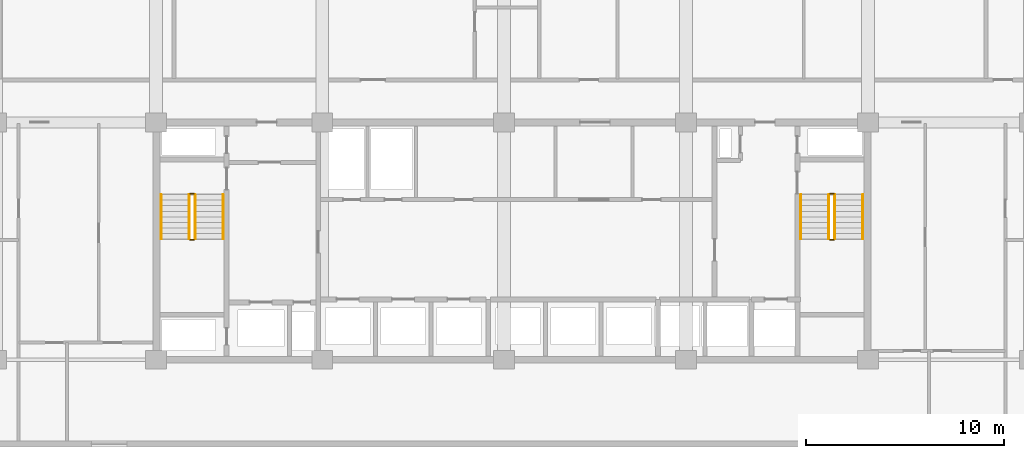
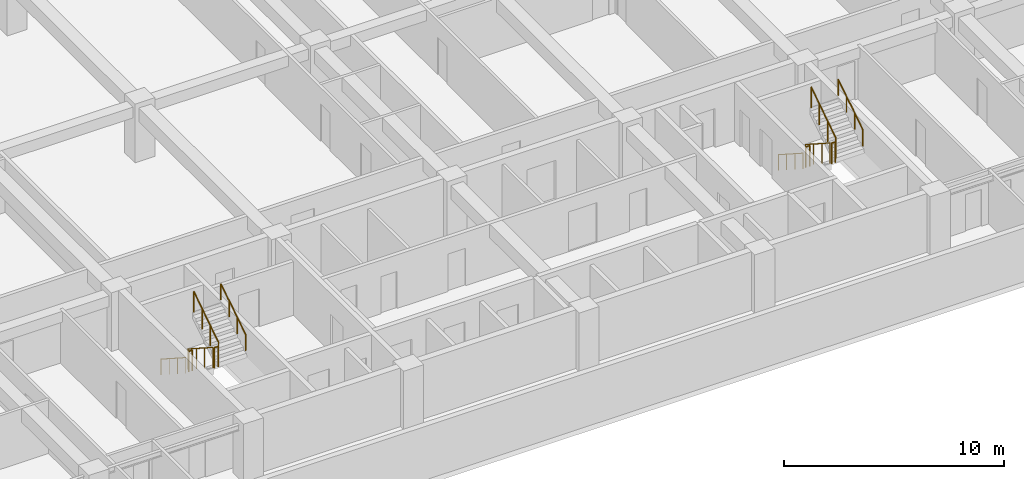
# One storey, part 22 of 23: 12 railings.
"""IFC4 building model written with IfcOpenShell, lengths in metres."""

import ifcopenshell
import ifcopenshell.guid

model = None  # the IFC model being written
_history = None  # IfcOwnerHistory: only IFC2X3 demands one
_inside = {}  # id of a spatial element -> (the spatial element, [elements in it])
_under = {}  # id of a project, library or spatial element -> (it, [spatial elements below it])
_declared = {}  # id of a project -> (the project, [libraries it declares])
_typed = {}  # id of a type object -> (the type object, [elements of that type])
_made_of = {}  # id of a material, layer set ... -> (it, [elements and type objects made of it])


def new_model(schema):
    """Start an empty IFC model of exactly this schema.

    Asked for "IFC4X3", IfcOpenShell would pick the latest addendum, in which some entities
    have other attributes; the version numbers below select the first issue.
    IFC2X3 requires an IfcOwnerHistory on every rooted entity: one is made here for all.
    """
    global model, _history
    if schema == "IFC4X3":
        model = ifcopenshell.file(schema_version=(4, 3, 0, 0))
    else:
        model = ifcopenshell.file(schema=schema)
    _inside.clear()
    _under.clear()
    _declared.clear()
    _typed.clear()
    _made_of.clear()
    _history = None
    if model.schema == "IFC2X3":
        org = make("IfcOrganization", Name="unknown")
        user = make(
            "IfcPersonAndOrganization",
            ThePerson=make("IfcPerson", FamilyName="unknown"),
            TheOrganization=org,
        )
        app = make(
            "IfcApplication",
            ApplicationDeveloper=org,
            Version="unknown",
            ApplicationFullName="unknown",
            ApplicationIdentifier="unknown",
        )
        _history = make(
            "IfcOwnerHistory",
            OwningUser=user,
            OwningApplication=app,
            ChangeAction="ADDED",
            CreationDate=0,
        )
    return model


def make(cls, **values):
    """One entity of the class cls with the attributes given. An attribute that is None is left unset."""
    return model.create_entity(
        cls, **{name: value for name, value in values.items() if value is not None}
    )


def rooted(cls, **values):
    """An entity with a GlobalId (a new one), such as an element, a storey or a relation."""
    return make(cls, GlobalId=ifcopenshell.guid.new(), OwnerHistory=_history, **values)


def si_unit(unit_type, name, prefix=None):
    """IfcSIUnit, for example si_unit("LENGTHUNIT", "METRE", prefix="MILLI")."""
    return make("IfcSIUnit", UnitType=unit_type, Prefix=prefix, Name=name)


def assignment(units):
    """IfcUnitAssignment: the units of a project."""
    return None if units is None else make("IfcUnitAssignment", Units=units)


def point(xyz):
    """IfcCartesianPoint."""
    return None if xyz is None else make("IfcCartesianPoint", Coordinates=xyz)


def direction(xyz):
    """IfcDirection."""
    return None if xyz is None else make("IfcDirection", DirectionRatios=xyz)


def frame(location, z_axis=None, x_axis=None):
    """IfcAxis2Placement3D, a coordinate frame: its origin and axes. An axis left out is left unset."""
    return make(
        "IfcAxis2Placement3D",
        Location=point(location),
        Axis=direction(z_axis),
        RefDirection=direction(x_axis),
    )


def frame_2d(location, x_axis=None):
    """IfcAxis2Placement2D, a coordinate frame in the plane: its origin and x axis."""
    return make(
        "IfcAxis2Placement2D", Location=point(location), RefDirection=direction(x_axis)
    )


def origin():
    """The frame at (0, 0, 0) with its axes left unset."""
    return frame((0.0, 0.0, 0.0))


def origin_2d():
    """The frame at (0, 0) in the plane with its x axis left unset."""
    return frame_2d((0.0, 0.0))


def place(relative_to, where):
    """IfcLocalPlacement: puts the frame where relative to a parent placement (None: the world)."""
    return make(
        "IfcLocalPlacement", PlacementRelTo=relative_to, RelativePlacement=where
    )


def context(
    kind, dimensions, precision=None, world=None, true_north=None, identifier=None
):
    """IfcGeometricRepresentationContext, for example the 3D "Model" context."""
    return make(
        "IfcGeometricRepresentationContext",
        ContextIdentifier=identifier,
        ContextType=kind,
        CoordinateSpaceDimension=dimensions,
        Precision=precision,
        WorldCoordinateSystem=world,
        TrueNorth=true_north,
    )


def subcontext(parent, identifier, kind, view, scale=None):
    """IfcGeometricRepresentationSubContext, for example "Body" below "Model"."""
    return make(
        "IfcGeometricRepresentationSubContext",
        ContextIdentifier=identifier,
        ContextType=kind,
        ParentContext=parent,
        TargetScale=scale,
        TargetView=view,
    )


def project(units=None, contexts=None):
    """IfcProject with its units and contexts."""
    return rooted(
        "IfcProject",
        Name="project",
        RepresentationContexts=contexts,
        UnitsInContext=assignment(units),
    )


def spatial(cls, under=None, at=None, **own):
    """A site, building, storey or space (cls), placed at a placement, below another one or the project."""
    s = rooted(cls, ObjectPlacement=at, **own)
    if under is not None:
        _under.setdefault(under.id(), (under, []))[1].append(s)
    return s


def profile(cls, at=None, kind="AREA", **sizes):
    """A parametric profile (cls). Its sizes go by their IFC names, for example OverallWidth=200.0."""
    return make(cls, ProfileType=kind, Position=at, **sizes)


def circle(**sizes):
    """IfcCircleProfileDef."""
    return profile("IfcCircleProfileDef", **sizes)


def extrude(swept, where, along, depth):
    """IfcExtrudedAreaSolid: the profile swept, set in the frame where, extruded along a direction by depth."""
    return make(
        "IfcExtrudedAreaSolid",
        SweptArea=swept,
        Position=where,
        ExtrudedDirection=direction(along),
        Depth=depth,
    )


def shape(context_of_items, identifier, shape_type, items):
    """IfcShapeRepresentation: the items that make up one representation, for example the "Body"."""
    return make(
        "IfcShapeRepresentation",
        ContextOfItems=context_of_items,
        RepresentationIdentifier=identifier,
        RepresentationType=shape_type,
        Items=items,
    )


def material(Name=None, Category=None):
    """IfcMaterial."""
    return make("IfcMaterial", Name=Name, Category=Category)


def made_of(thing, what):
    """Note that an element or type object is made of a material, layer set ...; save() writes the relation."""
    if what is not None:
        _made_of.setdefault(what.id(), (what, []))[1].append(thing)
    return thing


def type_object(cls, material=None, **own):
    """A type object (cls), such as IfcWallType, which elements share."""
    return made_of(rooted(cls, **own), material)


def element(
    cls,
    number,
    at=None,
    inside=None,
    cuts=None,
    type_object=None,
    material=None,
    context=None,
    identifier="Body",
    shape_type=None,
    held_by="IfcProductDefinitionShape",
    body=None,
    shapes=None,
    **own,
):
    """One element of the class cls, such as IfcWall. Its Tag is "e" and its number.

    at: its placement. inside: the storey or other place that contains it. cuts: it is an
    opening in that element (IfcRelVoidsElement). A single representation is given by context,
    identifier, shape_type and body (its items); several are given by shapes. held_by: the class
    of the entity that holds the representations. save() writes the other relations.
    """
    e = rooted(cls, Tag="e%d" % number, ObjectPlacement=at, **own)
    if body is not None:
        shapes = [shape(context, identifier, shape_type, body)]
    if shapes is not None:
        e.Representation = make(held_by, Representations=shapes)
    if inside is not None:
        _inside.setdefault(inside.id(), (inside, []))[1].append(e)
    if cuts is not None:
        rooted(
            "IfcRelVoidsElement", RelatingBuildingElement=cuts, RelatedOpeningElement=e
        )
    if type_object is not None:
        _typed.setdefault(type_object.id(), (type_object, []))[1].append(e)
    return made_of(e, material)


def aggregate(whole, parts):
    """IfcRelAggregates: a whole, such as a stair, and the parts it consists of."""
    return rooted("IfcRelAggregates", RelatingObject=whole, RelatedObjects=parts)


def save(model, path):
    """Write the relations noted so far, then the file.

    IfcRelAggregates (storeys below a building ...), IfcRelContainedInSpatialStructure (elements
    in a storey), IfcRelDefinesByType, IfcRelAssociatesMaterial and IfcRelDeclares: one each for
    every whole, place, type object, material and project.
    """
    for whole, parts in _under.values():
        aggregate(whole, parts)
    for where, things in _inside.values():
        rooted(
            "IfcRelContainedInSpatialStructure",
            RelatedElements=things,
            RelatingStructure=where,
        )
    for kind, things in _typed.values():
        rooted("IfcRelDefinesByType", RelatedObjects=things, RelatingType=kind)
    for what, things in _made_of.values():
        rooted("IfcRelAssociatesMaterial", RelatedObjects=things, RelatingMaterial=what)
    for by, libraries in _declared.values():
        rooted("IfcRelDeclares", RelatingContext=by, RelatedDefinitions=libraries)
    model.write(path)


model = new_model("IFC4")

# Units and contexts
model_context = context("Model", 3, precision=1e-05, world=origin(), true_north=direction((0.0, 1.0)))
body_context = subcontext(model_context, "Body", "Model", "MODEL_VIEW")
ifc_project = project(units=[si_unit("LENGTHUNIT", "METRE"), si_unit("AREAUNIT", "SQUARE_METRE"), si_unit("VOLUMEUNIT", "CUBIC_METRE"), si_unit("PLANEANGLEUNIT", "RADIAN"), si_unit("MASSUNIT", "GRAM", prefix="KILO")], contexts=[model_context])

# Site, building, storey
site_placement = place(None, origin())
site = spatial("IfcSite", under=ifc_project, at=site_placement, CompositionType="ELEMENT")
building_placement = place(site_placement, origin())
building = spatial("IfcBuilding", under=site, at=building_placement, Name="Korimba Cascade Residences", CompositionType="ELEMENT")
storey_placement = place(building_placement, frame((0.0, 0.0, 56.5)))
storey = spatial("IfcBuildingStorey", under=building, at=storey_placement, Name="L15", CompositionType="ELEMENT", Elevation=56.5)

# Railings
ifc_material_1 = material(Name="Painted Steel Stairwell Guardrail", Category="steel")
railing_type_1 = type_object("IfcRailingType", Name="RLG-ST-GD1150", PredefinedType="GUARDRAIL", material=ifc_material_1)
railing_1_placement = place(storey_placement, frame((77.77001953125, 63.550048828125, 0.1806640625)))
element("IfcRailing", 1, at=railing_1_placement, inside=storey, type_object=railing_type_1, Name="L15 ST-W1 stair guard 1", PredefinedType="GUARDRAIL", context=body_context, shape_type="SweptSolid", body=[
    extrude(circle(Radius=0.02392578125, at=origin_2d()), frame((0.0, 0.0, 1.1259765625), z_axis=(0.0, -0.840436612492, 0.541909863706), x_axis=(1.0, 0.0, 0.0)), (0.0, 0.0, 1.0), 2.665283203125),
    extrude(circle(Radius=0.02099609375, at=origin_2d()), origin(), (0.0, 0.0, 1.0), 1.101806640625),
    extrude(circle(Radius=0.02099609375, at=origin_2d()), frame((0.0, -0.74658203125, 0.4814453125)), (0.0, 0.0, 1.0), 1.101806640625),
    extrude(circle(Radius=0.02099609375, at=origin_2d()), frame((0.0, -1.493408203125, 0.962890625)), (0.0, 0.0, 1.0), 1.101806640625),
    extrude(circle(Radius=0.02099609375, at=origin_2d()), frame((0.0, -2.239990234375, 1.4443359375)), (0.0, 0.0, 1.0), 1.101806640625),
])
railing_2_placement = place(storey_placement, frame((77.820068359375, 61.260009765625, 1.625)))
element("IfcRailing", 2, at=railing_2_placement, inside=storey, type_object=railing_type_1, Name="L15 ST-W1 stair guard 2", PredefinedType="GUARDRAIL", context=body_context, shape_type="SweptSolid", body=[
    extrude(circle(Radius=0.02392578125, at=origin_2d()), frame((0.0, 0.0, 1.1259765625), z_axis=(1.0, 0.0, 0.0), x_axis=(0.0, 1.0, 0.0)), (0.0, 0.0, 1.0), 0.199951171875),
    extrude(circle(Radius=0.02099609375, at=origin_2d()), origin(), (0.0, 0.0, 1.0), 1.101806640625),
    extrude(circle(Radius=0.02099609375, at=origin_2d()), frame((0.199951171875, 0.0, 0.0)), (0.0, 0.0, 1.0), 1.101806640625),
])
railing_3_placement = place(storey_placement, frame((78.070068359375, 61.31005859375, 1.8056640625)))
element("IfcRailing", 3, at=railing_3_placement, inside=storey, type_object=railing_type_1, Name="L15 ST-W1 stair guard 3", PredefinedType="GUARDRAIL", context=body_context, shape_type="SweptSolid", body=[
    extrude(circle(Radius=0.02392578125, at=origin_2d()), frame((0.0, 0.0, 1.1259765625), z_axis=(0.0, 0.840436612492, 0.541909863706), x_axis=(-1.0, 0.0, 0.0)), (0.0, 0.0, 1.0), 2.665283203125),
    extrude(circle(Radius=0.02099609375, at=origin_2d()), origin(), (0.0, 0.0, 1.0), 1.101806640625),
    extrude(circle(Radius=0.02099609375, at=origin_2d()), frame((0.0, 0.74658203125, 0.4814453125)), (0.0, 0.0, 1.0), 1.101806640625),
    extrude(circle(Radius=0.02099609375, at=origin_2d()), frame((0.0, 1.493408203125, 0.962890625)), (0.0, 0.0, 1.0), 1.101806640625),
    extrude(circle(Radius=0.02099609375, at=origin_2d()), frame((0.0, 2.239990234375, 1.4443359375)), (0.0, 0.0, 1.0), 1.101806640625),
])
railing_4_placement = place(storey_placement, frame((77.820068359375, 63.60009765625, 0.0)))
element("IfcRailing", 4, at=railing_4_placement, inside=storey, type_object=railing_type_1, Name="L15 ST-W1 stair guard 4", PredefinedType="GUARDRAIL", context=body_context, shape_type="SweptSolid", body=[
    extrude(circle(Radius=0.02392578125, at=origin_2d()), frame((0.0, 0.0, 1.1259765625), z_axis=(1.0, 0.0, 0.0), x_axis=(0.0, 1.0, 0.0)), (0.0, 0.0, 1.0), 0.199951171875),
    extrude(circle(Radius=0.02099609375, at=origin_2d()), origin(), (0.0, 0.0, 1.0), 1.101806640625),
    extrude(circle(Radius=0.02099609375, at=origin_2d()), frame((0.199951171875, 0.0, 0.0)), (0.0, 0.0, 1.0), 1.101806640625),
])
railing_5_placement = place(storey_placement, frame((110.1298828125, 63.550048828125, 0.1806640625)))
element("IfcRailing", 5, at=railing_5_placement, inside=storey, type_object=railing_type_1, Name="L15 ST-W2 stair guard 1", PredefinedType="GUARDRAIL", context=body_context, shape_type="SweptSolid", body=[
    extrude(circle(Radius=0.02392578125, at=origin_2d()), frame((0.0, 0.0, 1.1259765625), z_axis=(0.0, -0.840436612492, 0.541909863706), x_axis=(1.0, 0.0, 0.0)), (0.0, 0.0, 1.0), 2.665283203125),
    extrude(circle(Radius=0.02099609375, at=origin_2d()), origin(), (0.0, 0.0, 1.0), 1.101806640625),
    extrude(circle(Radius=0.02099609375, at=origin_2d()), frame((0.0, -0.74658203125, 0.4814453125)), (0.0, 0.0, 1.0), 1.101806640625),
    extrude(circle(Radius=0.02099609375, at=origin_2d()), frame((0.0, -1.493408203125, 0.962890625)), (0.0, 0.0, 1.0), 1.101806640625),
    extrude(circle(Radius=0.02099609375, at=origin_2d()), frame((0.0, -2.239990234375, 1.4443359375)), (0.0, 0.0, 1.0), 1.101806640625),
])
railing_6_placement = place(storey_placement, frame((110.179931640625, 61.260009765625, 1.625)))
element("IfcRailing", 6, at=railing_6_placement, inside=storey, type_object=railing_type_1, Name="L15 ST-W2 stair guard 2", PredefinedType="GUARDRAIL", context=body_context, shape_type="SweptSolid", body=[
    extrude(circle(Radius=0.02392578125, at=origin_2d()), frame((0.0, 0.0, 1.1259765625), z_axis=(1.0, 0.0, 0.0), x_axis=(0.0, 1.0, 0.0)), (0.0, 0.0, 1.0), 0.199951171875),
    extrude(circle(Radius=0.02099609375, at=origin_2d()), origin(), (0.0, 0.0, 1.0), 1.101806640625),
    extrude(circle(Radius=0.02099609375, at=origin_2d()), frame((0.199951171875, 0.0, 0.0)), (0.0, 0.0, 1.0), 1.101806640625),
])
railing_7_placement = place(storey_placement, frame((110.429931640625, 61.31005859375, 1.8056640625)))
element("IfcRailing", 7, at=railing_7_placement, inside=storey, type_object=railing_type_1, Name="L15 ST-W2 stair guard 3", PredefinedType="GUARDRAIL", context=body_context, shape_type="SweptSolid", body=[
    extrude(circle(Radius=0.02392578125, at=origin_2d()), frame((0.0, 0.0, 1.1259765625), z_axis=(0.0, 0.840436612492, 0.541909863706), x_axis=(-1.0, 0.0, 0.0)), (0.0, 0.0, 1.0), 2.665283203125),
    extrude(circle(Radius=0.02099609375, at=origin_2d()), origin(), (0.0, 0.0, 1.0), 1.101806640625),
    extrude(circle(Radius=0.02099609375, at=origin_2d()), frame((0.0, 0.74658203125, 0.4814453125)), (0.0, 0.0, 1.0), 1.101806640625),
    extrude(circle(Radius=0.02099609375, at=origin_2d()), frame((0.0, 1.493408203125, 0.962890625)), (0.0, 0.0, 1.0), 1.101806640625),
    extrude(circle(Radius=0.02099609375, at=origin_2d()), frame((0.0, 2.239990234375, 1.4443359375)), (0.0, 0.0, 1.0), 1.101806640625),
])
railing_8_placement = place(storey_placement, frame((110.179931640625, 63.60009765625, 0.0)))
element("IfcRailing", 8, at=railing_8_placement, inside=storey, type_object=railing_type_1, Name="L15 ST-W2 stair guard 4", PredefinedType="GUARDRAIL", context=body_context, shape_type="SweptSolid", body=[
    extrude(circle(Radius=0.02392578125, at=origin_2d()), frame((0.0, 0.0, 1.1259765625), z_axis=(1.0, 0.0, 0.0), x_axis=(0.0, 1.0, 0.0)), (0.0, 0.0, 1.0), 0.199951171875),
    extrude(circle(Radius=0.02099609375, at=origin_2d()), origin(), (0.0, 0.0, 1.0), 1.101806640625),
    extrude(circle(Radius=0.02099609375, at=origin_2d()), frame((0.199951171875, 0.0, 0.0)), (0.0, 0.0, 1.0), 1.101806640625),
])
ifc_material_2 = material(Name="Brushed Stainless Steel Handrail", Category="steel")
railing_type_2 = type_object("IfcRailingType", Name="RLG-ST-HR900", PredefinedType="HANDRAIL", material=ifc_material_2)
railing_9_placement = place(storey_placement, frame((76.35009765625, 63.550048828125, 0.364990234375)))
element("IfcRailing", 9, at=railing_9_placement, inside=storey, type_object=railing_type_2, Name="L15 ST-W1 stair handrail 1", PredefinedType="HANDRAIL", context=body_context, shape_type="SweptSolid", body=[
    extrude(circle(Radius=0.02392578125, at=origin_2d()), frame((0.0, 0.0, 0.8759765625), z_axis=(0.0, -0.840436612492, 0.541909863706), x_axis=(1.0, 0.0, 0.0)), (0.0, 0.0, 1.0), 2.665283203125),
    extrude(circle(Radius=0.02099609375, at=origin_2d()), origin(), (0.0, 0.0, 1.0), 0.851806640625),
    extrude(circle(Radius=0.02099609375, at=origin_2d()), frame((0.0, -0.74658203125, 0.4814453125)), (0.0, 0.0, 1.0), 0.851806640625),
    extrude(circle(Radius=0.02099609375, at=origin_2d()), frame((0.0, -1.493408203125, 0.962890625)), (0.0, 0.0, 1.0), 0.851806640625),
    extrude(circle(Radius=0.02099609375, at=origin_2d()), frame((0.0, -2.239990234375, 1.4443359375)), (0.0, 0.0, 1.0), 0.851806640625),
])
railing_10_placement = place(storey_placement, frame((79.489990234375, 61.31005859375, 1.989990234375)))
element("IfcRailing", 10, at=railing_10_placement, inside=storey, type_object=railing_type_2, Name="L15 ST-W1 stair handrail 2", PredefinedType="HANDRAIL", context=body_context, shape_type="SweptSolid", body=[
    extrude(circle(Radius=0.02392578125, at=origin_2d()), frame((0.0, 0.0, 0.8759765625), z_axis=(0.0, 0.840436612492, 0.541909863706), x_axis=(-1.0, 0.0, 0.0)), (0.0, 0.0, 1.0), 2.665283203125),
    extrude(circle(Radius=0.02099609375, at=origin_2d()), origin(), (0.0, 0.0, 1.0), 0.851806640625),
    extrude(circle(Radius=0.02099609375, at=origin_2d()), frame((0.0, 0.74658203125, 0.4814453125)), (0.0, 0.0, 1.0), 0.851806640625),
    extrude(circle(Radius=0.02099609375, at=origin_2d()), frame((0.0, 1.493408203125, 0.962890625)), (0.0, 0.0, 1.0), 0.851806640625),
    extrude(circle(Radius=0.02099609375, at=origin_2d()), frame((0.0, 2.239990234375, 1.4443359375)), (0.0, 0.0, 1.0), 0.851806640625),
])
railing_11_placement = place(storey_placement, frame((108.7099609375, 63.550048828125, 0.364990234375)))
element("IfcRailing", 11, at=railing_11_placement, inside=storey, type_object=railing_type_2, Name="L15 ST-W2 stair handrail 1", PredefinedType="HANDRAIL", context=body_context, shape_type="SweptSolid", body=[
    extrude(circle(Radius=0.02392578125, at=origin_2d()), frame((0.0, 0.0, 0.8759765625), z_axis=(0.0, -0.840436612492, 0.541909863706), x_axis=(1.0, 0.0, 0.0)), (0.0, 0.0, 1.0), 2.665283203125),
    extrude(circle(Radius=0.02099609375, at=origin_2d()), origin(), (0.0, 0.0, 1.0), 0.851806640625),
    extrude(circle(Radius=0.02099609375, at=origin_2d()), frame((0.0, -0.74658203125, 0.4814453125)), (0.0, 0.0, 1.0), 0.851806640625),
    extrude(circle(Radius=0.02099609375, at=origin_2d()), frame((0.0, -1.493408203125, 0.962890625)), (0.0, 0.0, 1.0), 0.851806640625),
    extrude(circle(Radius=0.02099609375, at=origin_2d()), frame((0.0, -2.239990234375, 1.4443359375)), (0.0, 0.0, 1.0), 0.851806640625),
])
railing_12_placement = place(storey_placement, frame((111.85009765625, 61.31005859375, 1.989990234375)))
element("IfcRailing", 12, at=railing_12_placement, inside=storey, type_object=railing_type_2, Name="L15 ST-W2 stair handrail 2", PredefinedType="HANDRAIL", context=body_context, shape_type="SweptSolid", body=[
    extrude(circle(Radius=0.02392578125, at=origin_2d()), frame((0.0, 0.0, 0.8759765625), z_axis=(0.0, 0.840436612492, 0.541909863706), x_axis=(-1.0, 0.0, 0.0)), (0.0, 0.0, 1.0), 2.665283203125),
    extrude(circle(Radius=0.02099609375, at=origin_2d()), origin(), (0.0, 0.0, 1.0), 0.851806640625),
    extrude(circle(Radius=0.02099609375, at=origin_2d()), frame((0.0, 0.74658203125, 0.4814453125)), (0.0, 0.0, 1.0), 0.851806640625),
    extrude(circle(Radius=0.02099609375, at=origin_2d()), frame((0.0, 1.493408203125, 0.962890625)), (0.0, 0.0, 1.0), 0.851806640625),
    extrude(circle(Radius=0.02099609375, at=origin_2d()), frame((0.0, 2.239990234375, 1.4443359375)), (0.0, 0.0, 1.0), 0.851806640625),
])

save(model, "model.ifc")
